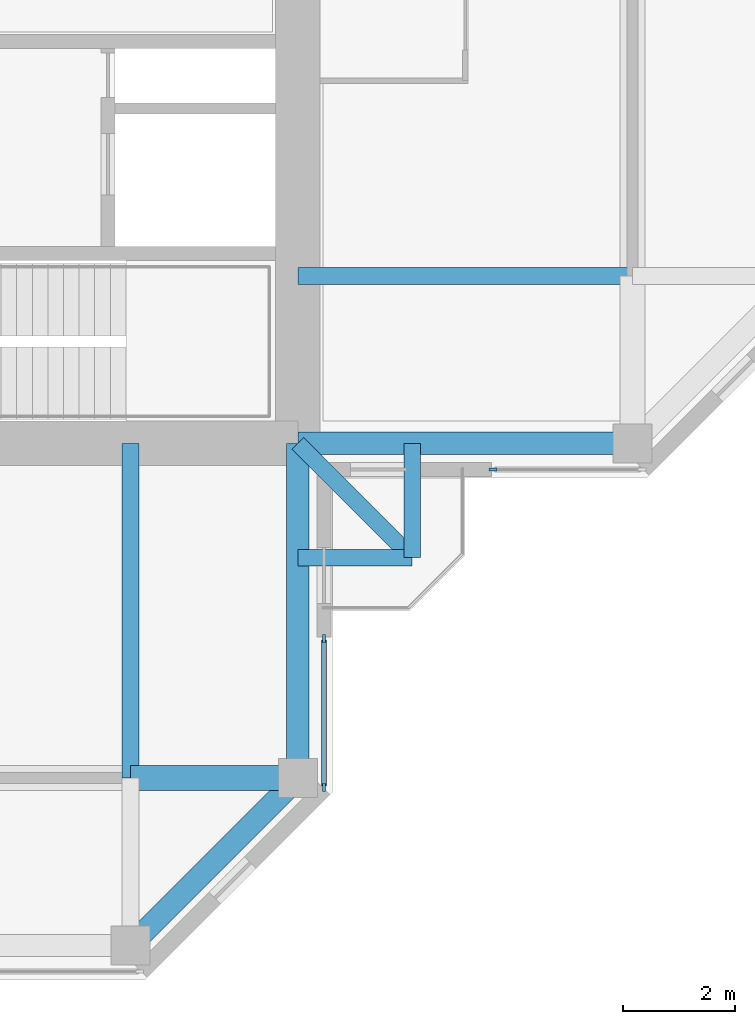
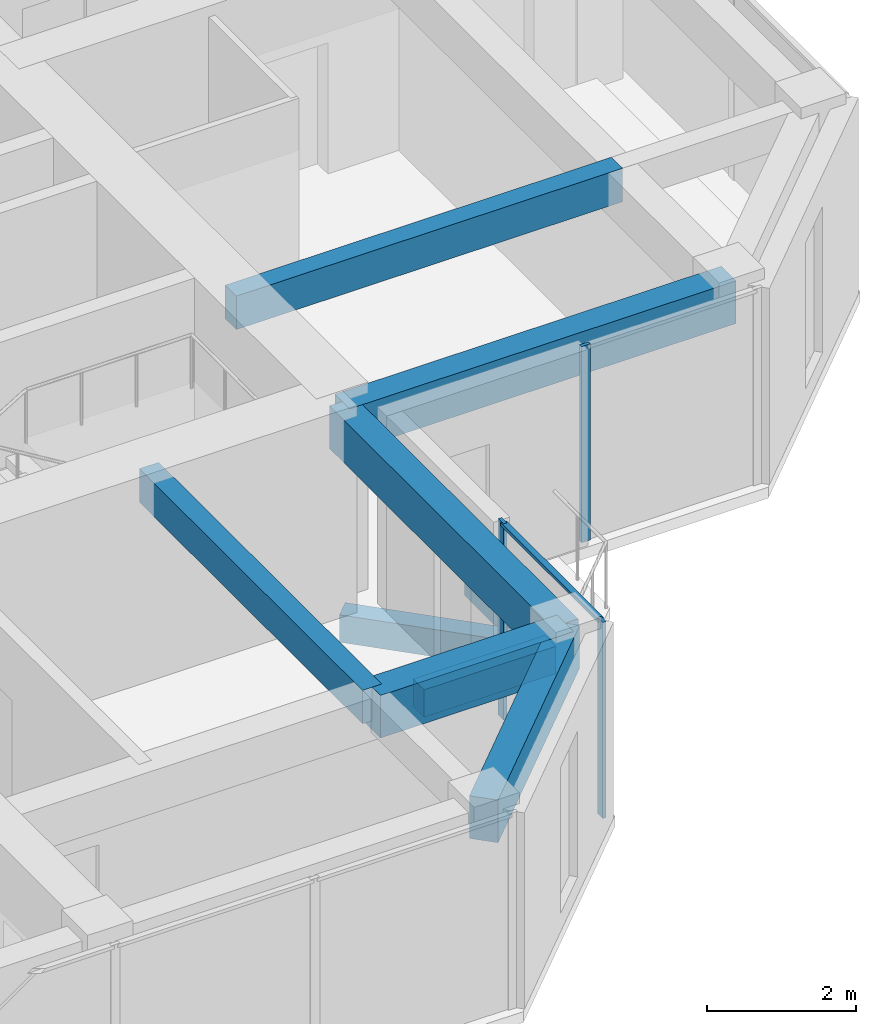
# One storey, part 3 of 13: 9 beams, 4 members, 2 elements without a shape of their own.
"""IFC4 building model written with IfcOpenShell, lengths in metres."""

from ifc_helpers import new_model, si_unit, direction, frame, origin, origin_2d, place, context, subcontext, project, spatial, rectangle, extrude, material, material_profile, profile_set, type_object, element, aggregate, save


model = new_model("IFC4")

# Units and contexts
model_context = context("Model", 3, precision=1e-05, world=origin(), true_north=direction((0.0, 1.0)))
body_context = subcontext(model_context, "Body", "Model", "MODEL_VIEW")
ifc_project = project(units=[si_unit("LENGTHUNIT", "METRE"), si_unit("AREAUNIT", "SQUARE_METRE"), si_unit("VOLUMEUNIT", "CUBIC_METRE"), si_unit("PLANEANGLEUNIT", "RADIAN"), si_unit("MASSUNIT", "GRAM", prefix="KILO")], contexts=[model_context])

# Site, building, storey
site_placement = place(None, origin())
site = spatial("IfcSite", under=ifc_project, at=site_placement, CompositionType="ELEMENT")
building_placement = place(site_placement, origin())
building = spatial("IfcBuilding", under=site, at=building_placement, Name="Torre Cruceta", CompositionType="ELEMENT")
storey_placement = place(building_placement, frame((0.0, 0.0, 271.300048828125)))
storey = spatial("IfcBuildingStorey", under=building, at=storey_placement, Name="L70", CompositionType="ELEMENT", Elevation=271.300048828125)

# Beams
ifc_material_1 = material(Name="Concrete G60 (fck 60 MPa)", Category="concrete")
ifc_material_profile_1 = material_profile(ifc_material_1, rectangle(XDim=0.300048828125, YDim=0.449951171875, at=origin_2d()), Name="RC 300X450")
ifc_profile_set_1 = profile_set([ifc_material_profile_1], Name="Concrete G60 (fck 60 MPa)")
beam_type_1 = type_object("IfcBeamType", Name="BALCONY CANTILEVER BEAM RC 300X450", PredefinedType="BEAM", material=ifc_profile_set_1)
beam_1_placement = place(storey_placement, frame((9.0, -9.0, -0.405029296875), z_axis=(0.707106781187, -0.707106781187, 0.0), x_axis=(0.707106781187, 0.707106781187, 0.0)))
element("IfcBeam", 1, at=beam_1_placement, inside=storey, type_object=beam_type_1, Name="BB1 balcony beam L70 S", PredefinedType="BEAM", context=body_context, shape_type="SweptSolid", body=[
    extrude(rectangle(XDim=0.300048828125, YDim=0.449951171875, at=origin_2d()), origin(), (0.0, 0.0, 1.0), 2.89990234375),
])
for number, where, z_axis, x_axis, name in (
    (2, (11.050537109375, -9.0, -0.405029296875), (0.0, -1.0, 0.0), (1.0, 0.0, 0.0), "BB1 balcony edge beam L70 S-X"),
    (3, (9.0, -11.050537109375, -0.405029296875), (1.0, 0.0, 0.0), (0.0, 1.0, 0.0), "BB1 balcony edge beam L70 S-Y"),
):
    element("IfcBeam", number, at=place(storey_placement, frame(where, z_axis=z_axis, x_axis=x_axis)), inside=storey, type_object=beam_type_1, Name=name, PredefinedType="BEAM", context=body_context, shape_type="SweptSolid", body=[
        extrude(rectangle(XDim=0.300048828125, YDim=0.449951171875, at=origin_2d()), origin(), (0.0, 0.0, 1.0), 2.050537109375),
    ])
ifc_material_2 = material(Name="Concrete G60 (fck 60 MPa)", Category="concrete")
ifc_material_profile_2 = material_profile(ifc_material_2, rectangle(XDim=0.300048828125, YDim=0.550048828125, at=origin_2d()), Name="RC 300X550")
ifc_profile_set_2 = profile_set([ifc_material_profile_2], Name="Concrete G60 (fck 60 MPa)")
beam_type_2 = type_object("IfcBeamType", Name="COLUMN LINE BEAM RC 300X550", PredefinedType="BEAM", material=ifc_profile_set_2)
for number, where, z_axis, x_axis, name in (
    (4, (9.0, -6.0, 2.945068359375), (1.0, 0.0, 0.0), (0.0, 1.0, 0.0), "LB10 L70 E col- 1"),
    (5, (6.0, -9.0, 2.945068359375), (0.0, -1.0, 0.0), (1.0, 0.0, 0.0), "LB10 L70 S col+ 1"),
):
    element("IfcBeam", number, at=place(storey_placement, frame(where, z_axis=z_axis, x_axis=x_axis)), inside=storey, type_object=beam_type_2, Name=name, PredefinedType="BEAM", context=body_context, shape_type="SweptSolid", body=[
        extrude(rectangle(XDim=0.300048828125, YDim=0.550048828125, at=origin_2d()), origin(), (0.0, 0.0, 1.0), 6.0),
    ])
ifc_material_3 = material(Name="Concrete G60 (fck 60 MPa)", Category="concrete")
ifc_material_profile_3 = material_profile(ifc_material_3, rectangle(XDim=0.449951171875, YDim=0.699951171875, at=origin_2d()), Name="RC 450X700")
ifc_profile_set_3 = profile_set([ifc_material_profile_3], Name="Concrete G60 (fck 60 MPa)")
beam_type_3 = type_object("IfcBeamType", Name="CROSS BEAM RC 450X700", PredefinedType="BEAM", material=ifc_profile_set_3)
beam_2_placement = place(storey_placement, frame((6.0, -15.0, 2.869873046875), z_axis=(1.0, 0.0, 0.0), x_axis=(0.0, 1.0, 0.0)))
element("IfcBeam", 6, at=beam_2_placement, inside=storey, type_object=beam_type_3, Name="GB8 L70 S cross15 4", PredefinedType="BEAM", context=body_context, shape_type="SweptSolid", body=[
    extrude(rectangle(XDim=0.449951171875, YDim=0.699951171875, at=origin_2d()), origin(), (0.0, 0.0, 1.0), 3.0),
])

# Curtain wall, member
ifc_material_4 = material(Name="Aluminium unitised curtain wall", Category="aluminium")
curtain_wall_type = type_object("IfcCurtainWallType", Name="CURTAIN WALL CW-E CO-LIVING TOP", PredefinedType="USERDEFINED", material=ifc_material_4)
curtain_wall_1_placement = place(storey_placement, origin())
curtain_wall_1 = element("IfcCurtainWall", 7, at=curtain_wall_1_placement, inside=storey, type_object=curtain_wall_type, Name="CW-E L70 E side 00", ObjectType="UNITISED", PredefinedType="USERDEFINED")
ifc_material_5 = material(Name="Aluminium mullion", Category="aluminium")
ifc_material_profile_4 = material_profile(ifc_material_5, rectangle(XDim=0.054931640625, YDim=0.139892578125, at=origin_2d()), Name="AL 55X140")
ifc_profile_set_4 = profile_set([ifc_material_profile_4], Name="Aluminium mullion")
member_type_1 = type_object("IfcMemberType", Name="CW-E MULLION 55X140", PredefinedType="MULLION", material=ifc_profile_set_4)
member_1_placement = place(storey_placement, frame((12.49755859375, -9.469970703125, 0.0), z_axis=(0.0, 0.0, 1.0), x_axis=(0.0, 1.0, 0.0)))
member_1 = element("IfcMember", 8, at=member_1_placement, type_object=member_type_1, Name="CW-E mullion 1", PredefinedType="MULLION", context=body_context, shape_type="SweptSolid", body=[
    extrude(rectangle(XDim=0.054931640625, YDim=0.139892578125, at=origin_2d()), origin(), (0.0, 0.0, 1.0), 3.219970703125),
])
aggregate(curtain_wall_1, [member_1])

# Curtain wall, members
curtain_wall_2_placement = place(storey_placement, origin())
curtain_wall_2 = element("IfcCurtainWall", 9, at=curtain_wall_2_placement, inside=storey, type_object=curtain_wall_type, Name="CW-E L70 S side 19", ObjectType="UNITISED", PredefinedType="USERDEFINED")
member_2_placement = place(storey_placement, frame((9.469970703125, -15.167236328125, 0.0), z_axis=(0.0, 0.0, 1.0), x_axis=(-1.0, 0.0, 0.0)))
member_2 = element("IfcMember", 10, at=member_2_placement, type_object=member_type_1, Name="CW-E mullion 1", PredefinedType="MULLION", context=body_context, shape_type="SweptSolid", body=[
    extrude(rectangle(XDim=0.054931640625, YDim=0.139892578125, at=origin_2d()), origin(), (0.0, 0.0, 1.0), 3.219970703125),
])
member_3_placement = place(storey_placement, frame((9.469970703125, -12.49755859375, 0.0), z_axis=(0.0, 0.0, 1.0), x_axis=(-1.0, 0.0, 0.0)))
member_3 = element("IfcMember", 11, at=member_3_placement, type_object=member_type_1, Name="CW-E mullion 2", PredefinedType="MULLION", context=body_context, shape_type="SweptSolid", body=[
    extrude(rectangle(XDim=0.054931640625, YDim=0.139892578125, at=origin_2d()), origin(), (0.0, 0.0, 1.0), 3.219970703125),
])
ifc_material_6 = material(Name="Aluminium transom", Category="aluminium")
ifc_material_profile_5 = material_profile(ifc_material_6, rectangle(XDim=0.090087890625, YDim=0.054931640625, at=origin_2d()), Name="AL 90X55")
ifc_profile_set_5 = profile_set([ifc_material_profile_5], Name="Aluminium transom")
member_type_2 = type_object("IfcMemberType", Name="CW-E TRANSOM 55X90", PredefinedType="USERDEFINED", material=ifc_profile_set_5)
member_4_placement = place(storey_placement, frame((9.469970703125, -15.1396484375, 3.1923828125), z_axis=(0.0, 1.0, 0.0), x_axis=(-1.0, 0.0, 0.0)))
member_4 = element("IfcMember", 12, at=member_4_placement, type_object=member_type_2, Name="CW-E transom 1", ObjectType="TRANSOM", PredefinedType="USERDEFINED", context=body_context, shape_type="SweptSolid", body=[
    extrude(rectangle(XDim=0.090087890625, YDim=0.054931640625, at=origin_2d()), origin(), (0.0, 0.0, 1.0), 2.61474609375),
])
aggregate(curtain_wall_2, [member_2, member_3, member_4])

# Beams
ifc_material_7 = material(Name="Concrete G60 (fck 60 MPa)", Category="concrete")
ifc_material_profile_6 = material_profile(ifc_material_7, rectangle(XDim=0.39990234375, YDim=0.699951171875, at=origin_2d()), Name="RC 400X700")
ifc_profile_set_6 = profile_set([ifc_material_profile_6], Name="Concrete G60 (fck 60 MPa)")
beam_type_4 = type_object("IfcBeamType", Name="SPANDREL BEAM RC 400X700", PredefinedType="SPANDREL", material=ifc_profile_set_6)
for number, where, z_axis, x_axis, name in (
    (13, (9.0, -9.0, 2.869873046875), (1.0, 0.0, 0.0), (0.0, 1.0, 0.0), "SB8 L70 E side- 1"),
    (14, (9.0, -9.0, 2.869873046875), (0.0, -1.0, 0.0), (1.0, 0.0, 0.0), "SB8 L70 S side+ 1"),
):
    element("IfcBeam", number, at=place(storey_placement, frame(where, z_axis=z_axis, x_axis=x_axis)), inside=storey, type_object=beam_type_4, Name=name, PredefinedType="SPANDREL", context=body_context, shape_type="SweptSolid", body=[
        extrude(rectangle(XDim=0.39990234375, YDim=0.699951171875, at=origin_2d()), origin(), (0.0, 0.0, 1.0), 6.0),
    ])
beam_3_placement = place(storey_placement, frame((9.0, -15.0, 2.869873046875), z_axis=(-0.707106781187, -0.707106781187, 0.0), x_axis=(0.707106781187, -0.707106781187, 0.0)))
element("IfcBeam", 15, at=beam_3_placement, inside=storey, type_object=beam_type_4, Name="SB8 L70 S side+ 2", PredefinedType="SPANDREL", context=body_context, shape_type="SweptSolid", body=[
    extrude(rectangle(XDim=0.39990234375, YDim=0.699951171875, at=origin_2d()), origin(), (0.0, 0.0, 1.0), 4.24267578125),
])

save(model, "model.ifc")
